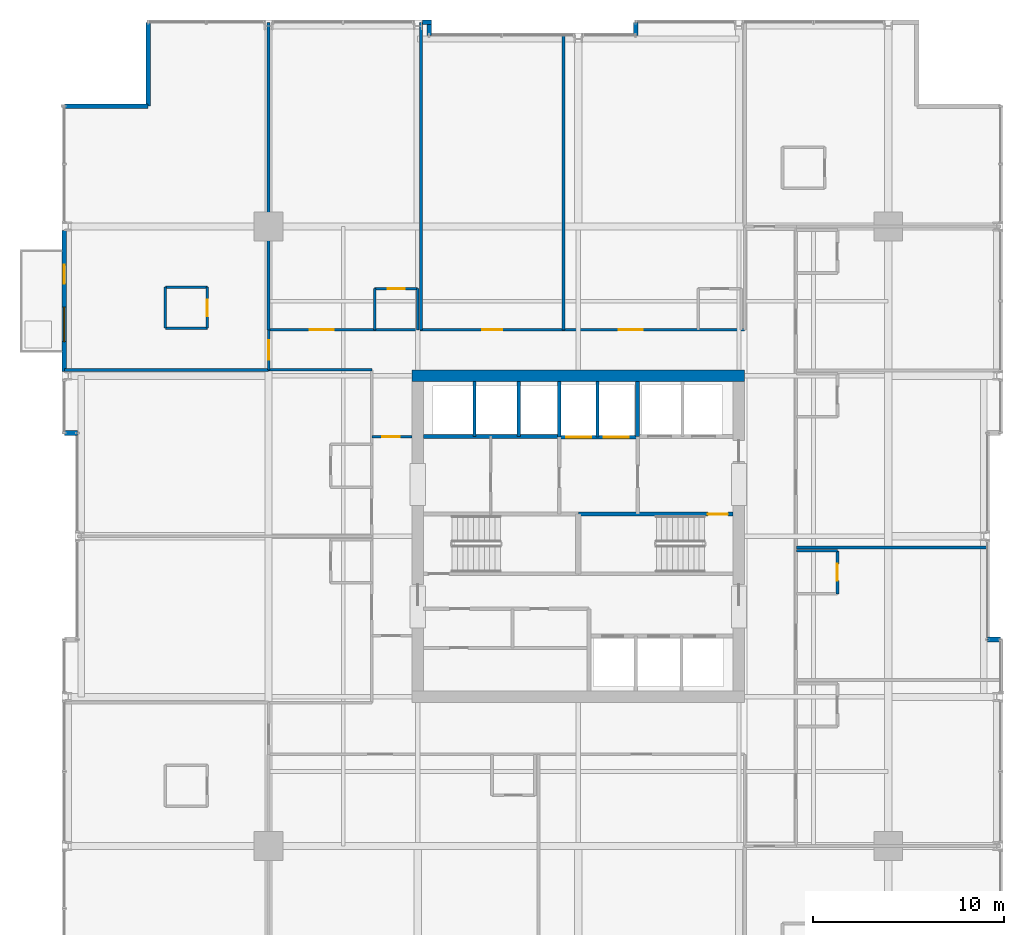
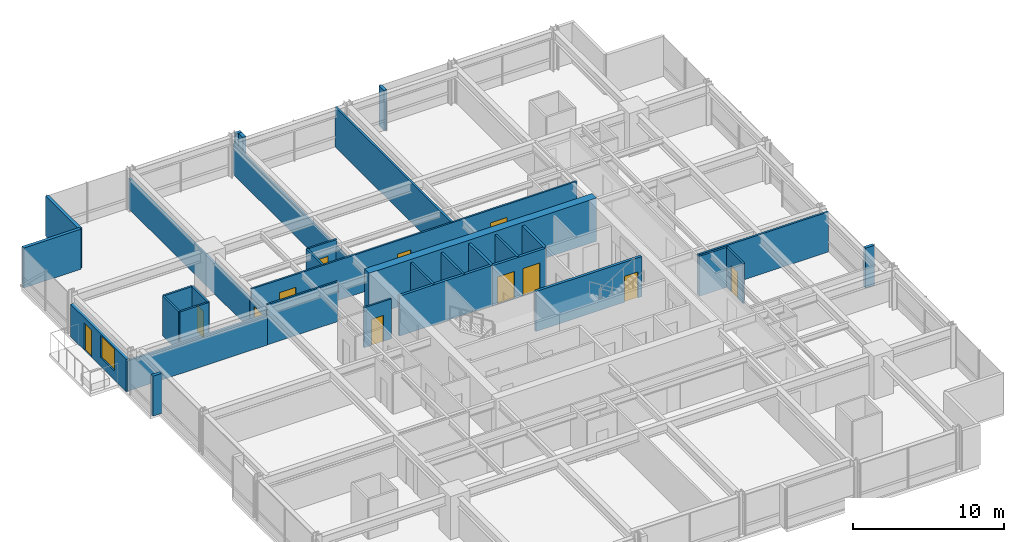
# One storey, part 30 of 33: 35 walls, 12 doors, 1 window, 13 openings.
"""IFC4 building model written with IfcOpenShell, lengths in metres."""

from ifc_helpers import new_model, si_unit, direction, frame, frame_2d, origin, place, context, subcontext, project, spatial, rectangle, extrude, material, layer, layer_set, type_object, element, fill, save


model = new_model("IFC4")

# Units and contexts
model_context = context("Model", 3, precision=1e-05, world=origin(), true_north=direction((0.0, 1.0)))
body_context = subcontext(model_context, "Body", "Model", "MODEL_VIEW")
ifc_project = project(units=[si_unit("LENGTHUNIT", "METRE"), si_unit("AREAUNIT", "SQUARE_METRE"), si_unit("VOLUMEUNIT", "CUBIC_METRE"), si_unit("PLANEANGLEUNIT", "RADIAN"), si_unit("MASSUNIT", "GRAM", prefix="KILO")], contexts=[model_context])

# Site, building, storey
site_placement = place(None, origin())
site = spatial("IfcSite", under=ifc_project, at=site_placement, CompositionType="ELEMENT")
building_placement = place(site_placement, origin())
building = spatial("IfcBuilding", under=site, at=building_placement, Name="Drelvath Grand Hotel", CompositionType="ELEMENT")
storey_placement = place(building_placement, frame((0.0, 0.0, 105.800048828125)))
storey = spatial("IfcBuildingStorey", under=building, at=storey_placement, Name="L26", CompositionType="ELEMENT", Elevation=105.800048828125)

# Wall
ifc_material_1 = material(Name="Concrete C40/50", Category="concrete")
ifc_layer_1 = layer(ifc_material_1, 0.199951171875)
ifc_layer_set_1 = layer_set([ifc_layer_1], Name="Concrete C40/50")
wall_type_1 = type_object("IfcWallType", Name="Core Hoistway Fire Wall 200", PredefinedType="SOLIDWALL", material=ifc_layer_set_1)
wall_1_placement = place(storey_placement, frame((3.10009765625, 32.219970703125, 0.0), z_axis=(0.0, 0.0, 1.0), x_axis=(0.0, 1.0, 0.0)))
element("IfcWall", 1, at=wall_1_placement, inside=storey, type_object=wall_type_1, Name="L26 FSAE Hoistway West Wall", PredefinedType="SOLIDWALL", context=body_context, shape_type="SweptSolid", body=[
    extrude(rectangle(XDim=2.880126953125, YDim=0.199951171875, at=frame_2d((1.43994140625, 0.0))), origin(), (0.0, 0.0, 1.0), 3.239990234375),
])

# Wall, openings, doors
wall_2_placement = place(storey_placement, frame((-1.0, 32.179931640625, 0.0), z_axis=(0.0, 0.0, 1.0), x_axis=(1.0, 0.0, 0.0)))
wall_2 = element("IfcWall", 2, at=wall_2_placement, inside=storey, type_object=wall_type_1, Name="L26 Service Lift Hoistway Wall", PredefinedType="SOLIDWALL", context=body_context, shape_type="SweptSolid", body=[
    extrude(rectangle(XDim=4.10009765625, YDim=0.199951171875, at=frame_2d((2.050048828125, 0.0))), origin(), (0.0, 0.0, 1.0), 3.239990234375),
])
opening_1_placement = place(wall_2_placement, frame((0.3701171875, 0.0, 0.0)))
opening_1 = element("IfcOpeningElement", 3, at=opening_1_placement, cuts=wall_2, Name="Opening LD-SV-2", PredefinedType="OPENING", context=body_context, shape_type="SweptSolid", body=[
    extrude(rectangle(XDim=1.300048828125, YDim=2.199951171875, at=frame_2d((0.64990234375, 1.10009765625))), frame((0.0, 0.10986328125, 0.0), z_axis=(0.0, -1.0, 0.0), x_axis=(1.0, 0.0, 0.0)), (0.0, 0.0, 1.0), 0.219970703125),
])
opening_2_placement = place(wall_2_placement, frame((2.330078125, 0.0, 0.0)))
opening_2 = element("IfcOpeningElement", 4, at=opening_2_placement, cuts=wall_2, Name="Opening LD-SV-1", PredefinedType="OPENING", context=body_context, shape_type="SweptSolid", body=[
    extrude(rectangle(XDim=1.300048828125, YDim=2.199951171875, at=frame_2d((0.64990234375, 1.10009765625))), frame((0.0, 0.10986328125, 0.0), z_axis=(0.0, -1.0, 0.0), x_axis=(1.0, 0.0, 0.0)), (0.0, 0.0, 1.0), 0.219970703125),
])
ifc_material_2 = material(Name="Stainless Steel S355", Category="steel")
door_type_1 = type_object("IfcDoorType", Name="Service Lift Sliding Landing Door 1300x2200", OperationType="NOTDEFINED", PredefinedType="DOOR", material=ifc_material_2)
door_1_placement = place(opening_1_placement, origin())
door_1 = element("IfcDoor", 5, at=door_1_placement, inside=storey, type_object=door_type_1, Name="L26 Lift SV-2 Landing Door", OperationType="SLIDING_TO_LEFT", OverallHeight=2.199951171875, OverallWidth=1.300048828125, PredefinedType="DOOR", context=body_context, shape_type="SweptSolid", body=[
    extrude(rectangle(XDim=1.300048828125, YDim=2.199951171875, at=frame_2d((0.64990234375, 1.10009765625))), frame((0.0, 0.02490234375, 0.0), z_axis=(0.0, -1.0, 0.0), x_axis=(1.0, 0.0, 0.0)), (0.0, 0.0, 1.0), 0.050048828125),
])
fill(opening_1, door_1)
door_2_placement = place(opening_2_placement, origin())
door_2 = element("IfcDoor", 6, at=door_2_placement, inside=storey, type_object=door_type_1, Name="L26 Lift SV-1 Landing Door", OperationType="SLIDING_TO_LEFT", OverallHeight=2.199951171875, OverallWidth=1.300048828125, PredefinedType="DOOR", context=body_context, shape_type="SweptSolid", body=[
    extrude(rectangle(XDim=1.300048828125, YDim=2.199951171875, at=frame_2d((0.64990234375, 1.10009765625))), frame((0.0, 0.02490234375, 0.0), z_axis=(0.0, -1.0, 0.0), x_axis=(1.0, 0.0, 0.0)), (0.0, 0.0, 1.0), 0.050048828125),
])
fill(opening_2, door_2)

# Walls
wall_3_placement = place(storey_placement, frame((-1.0, 32.179931640625, 0.0), z_axis=(0.0, 0.0, 1.0), x_axis=(0.0, 1.0, 0.0)))
element("IfcWall", 7, at=wall_3_placement, inside=storey, type_object=wall_type_1, Name="L26 Service Lift West Wall", PredefinedType="SOLIDWALL", context=body_context, shape_type="SweptSolid", body=[
    extrude(rectangle(XDim=2.920166015625, YDim=0.199951171875, at=frame_2d((1.4599609375, 0.0))), origin(), (0.0, 0.0, 1.0), 3.239990234375),
])
wall_4_placement = place(storey_placement, frame((-8.10009765625, 32.219970703125, 0.0), z_axis=(0.0, 0.0, 1.0), x_axis=(1.0, 0.0, 0.0)))
element("IfcWall", 8, at=wall_4_placement, inside=storey, type_object=wall_type_1, Name="L26 Bank 3 Hoistway Wall", PredefinedType="SOLIDWALL", context=body_context, shape_type="SweptSolid", body=[
    extrude(rectangle(XDim=7.10009765625, YDim=0.199951171875, at=frame_2d((3.550048828125, 0.0))), origin(), (0.0, 0.0, 1.0), 3.239990234375),
])

# Wall, opening, door
ifc_layer_2 = layer(ifc_material_1, 0.199951171875)
ifc_layer_set_2 = layer_set([ifc_layer_2], Name="Concrete C40/50")
wall_type_2 = type_object("IfcWallType", Name="Core Shaft Fire Wall 200", PredefinedType="SOLIDWALL", material=ifc_layer_set_2)
wall_5_placement = place(storey_placement, frame((8.10009765625, 28.159912109375, 0.0), z_axis=(0.0, 0.0, 1.0), x_axis=(-1.0, 0.0, 0.0)))
wall_5 = element("IfcWall", 9, at=wall_5_placement, inside=storey, type_object=wall_type_2, Name="L26 Stair ST-2 North Wall", PredefinedType="SOLIDWALL", context=body_context, shape_type="SweptSolid", body=[
    extrude(rectangle(XDim=8.10009765625, YDim=0.199951171875, at=frame_2d((4.050048828125, 0.0))), origin(), (0.0, 0.0, 1.0), 3.239990234375),
])
opening_3_placement = place(wall_5_placement, frame((0.280029296875, 0.0, 0.0)))
opening_3 = element("IfcOpeningElement", 10, at=opening_3_placement, cuts=wall_5, Name="Opening D-T2G2-002", PredefinedType="OPENING", context=body_context, shape_type="SweptSolid", body=[
    extrude(rectangle(XDim=1.050048828125, YDim=2.10009765625, at=frame_2d((0.52490234375, 1.050048828125))), frame((0.0, 0.10986328125, 0.0), z_axis=(0.0, -1.0, 0.0), x_axis=(1.0, 0.0, 0.0)), (0.0, 0.0, 1.0), 0.219970703125),
])
ifc_material_3 = material(Name="Painted Steel S275", Category="steel")
door_type_2 = type_object("IfcDoorType", Name="Tower Stairwell Fire Door 1050x2100", OperationType="NOTDEFINED", PredefinedType="DOOR", material=ifc_material_3)
door_3_placement = place(opening_3_placement, origin())
door_3 = element("IfcDoor", 11, at=door_3_placement, inside=storey, type_object=door_type_2, Name="L26 Exit Stair ST-2 Door", OperationType="SINGLE_SWING_LEFT", OverallHeight=2.10009765625, OverallWidth=1.050048828125, PredefinedType="DOOR", context=body_context, shape_type="SweptSolid", body=[
    extrude(rectangle(XDim=1.050048828125, YDim=2.10009765625, at=frame_2d((0.52490234375, 1.050048828125))), frame((0.0, 0.02490234375, 0.0), z_axis=(0.0, -1.0, 0.0), x_axis=(1.0, 0.0, 0.0)), (0.0, 0.0, 1.0), 0.050048828125),
])
fill(opening_3, door_3)

# Walls
ifc_material_4 = material(Name="Gypsum Fireboard Partition")
ifc_layer_3 = layer(ifc_material_4, 0.1650390625)
ifc_layer_set_3 = layer_set([ifc_layer_3], Name="Gypsum Fireboard Partition")
wall_type_3 = type_object("IfcWallType", Name="Core Shaft Partition 165", PredefinedType="PARTITIONING", material=ifc_layer_set_3)
wall_6_placement = place(storey_placement, frame((1.0, 32.179931640625, 0.0), z_axis=(0.0, 0.0, 1.0), x_axis=(0.0, 1.0, 0.0)))
element("IfcWall", 12, at=wall_6_placement, inside=storey, type_object=wall_type_3, Name="L26 Service Lift Divider", PredefinedType="PARTITIONING", context=body_context, shape_type="SweptSolid", body=[
    extrude(rectangle(XDim=2.920166015625, YDim=0.1650390625, at=frame_2d((1.4599609375, 0.0))), origin(), (0.0, 0.0, 1.0), 3.239990234375),
])
for number, where, z_axis, x_axis, name in (
    (13, (-5.43994140625, 32.219970703125, 0.0), (0.0, 0.0, 1.0), (0.0, 1.0, 0.0), "L26 Lift PE-7/8 Divider"),
    (14, (-3.1201171875, 32.219970703125, 0.0), (0.0, 0.0, 1.0), (0.0, 1.0, 0.0), "L26 Lift PE-8/9 Divider"),
):
    element("IfcWall", number, at=place(storey_placement, frame(where, z_axis=z_axis, x_axis=x_axis)), inside=storey, type_object=wall_type_3, Name=name, PredefinedType="PARTITIONING", context=body_context, shape_type="SweptSolid", body=[
        extrude(rectangle(XDim=2.880126953125, YDim=0.1650390625, at=frame_2d((1.43994140625, 0.0))), origin(), (0.0, 0.0, 1.0), 3.239990234375),
    ])

# Wall, opening, door
ifc_layer_4 = layer(ifc_material_4, 0.135009765625)
ifc_layer_set_4 = layer_set([ifc_layer_4], Name="Gypsum Fireboard Partition")
wall_type_4 = type_object("IfcWallType", Name="Corridor Fire Barrier Wall 135", PredefinedType="PARTITIONING", material=ifc_layer_set_4)
wall_7_placement = place(storey_placement, frame((-10.800048828125, 32.199951171875, 0.0), z_axis=(0.0, 0.0, 1.0), x_axis=(1.0, 0.0, 0.0)))
wall_7 = element("IfcWall", 15, at=wall_7_placement, inside=storey, type_object=wall_type_4, Name="L26 West Foyer North Wall", PredefinedType="PARTITIONING", context=body_context, shape_type="SweptSolid", body=[
    extrude(rectangle(XDim=2.10009765625, YDim=0.135009765625, at=frame_2d((1.050048828125, 0.0))), origin(), (0.0, 0.0, 1.0), 3.239990234375),
])
opening_4_placement = place(wall_7_placement, frame((0.550048828125, 0.0, 0.0)))
opening_4 = element("IfcOpeningElement", 16, at=opening_4_placement, cuts=wall_7, Name="Opening D-T2G2-020", PredefinedType="OPENING", context=body_context, shape_type="SweptSolid", body=[
    extrude(rectangle(XDim=0.919921875, YDim=2.10009765625, at=frame_2d((0.4599609375, 1.050048828125))), frame((0.0, 0.077392578125, 0.0), z_axis=(0.0, -1.0, 0.0), x_axis=(1.0, 0.0, 0.0)), (0.0, 0.0, 1.0), 0.155029296875),
])
door_type_3 = type_object("IfcDoorType", Name="Staff Utility Door 920x2100", OperationType="NOTDEFINED", PredefinedType="DOOR", material=ifc_material_3)
door_4_placement = place(opening_4_placement, origin())
door_4 = element("IfcDoor", 17, at=door_4_placement, inside=storey, type_object=door_type_3, Name="L26 West Pantry Door", OperationType="SINGLE_SWING_LEFT", OverallHeight=2.10009765625, OverallWidth=0.919921875, PredefinedType="DOOR", context=body_context, shape_type="SweptSolid", body=[
    extrude(rectangle(XDim=0.919921875, YDim=2.10009765625, at=frame_2d((0.4599609375, 1.050048828125))), frame((0.0, 0.02490234375, 0.0), z_axis=(0.0, -1.0, 0.0), x_axis=(1.0, 0.0, 0.0)), (0.0, 0.0, 1.0), 0.050048828125),
])
fill(opening_4, door_4)

# Wall
wall_8_placement = place(storey_placement, frame((-16.199951171875, 35.699951171875, 0.0), z_axis=(0.0, 0.0, 1.0), x_axis=(1.0, 0.0, 0.0)))
element("IfcWall", 18, at=wall_8_placement, inside=storey, type_object=wall_type_4, Name="L26 NW Stub South Wall", PredefinedType="PARTITIONING", context=body_context, shape_type="SweptSolid", body=[
    extrude(rectangle(XDim=5.39990234375, YDim=0.135009765625, at=frame_2d((2.699951171875, 0.0))), origin(), (0.0, 0.0, 1.0), 3.239990234375),
])

# Wall, openings, doors
wall_9_placement = place(storey_placement, frame((-16.199951171875, 37.800048828125, 0.0), z_axis=(0.0, 0.0, 1.0), x_axis=(1.0, 0.0, 0.0)))
wall_9 = element("IfcWall", 19, at=wall_9_placement, inside=storey, type_object=wall_type_4, Name="L26 North Stub Corridor Wall", PredefinedType="PARTITIONING", context=body_context, shape_type="SweptSolid", body=[
    extrude(rectangle(XDim=24.89990234375, YDim=0.135009765625, at=frame_2d((12.449951171875, 0.0))), origin(), (0.0, 0.0, 1.0), 3.239990234375),
])
opening_5_placement = place(wall_9_placement, frame((2.14501953125, 0.0, 0.0)))
opening_5 = element("IfcOpeningElement", 20, at=opening_5_placement, cuts=wall_9, Name="Opening D-T2G2-033", PredefinedType="OPENING", context=body_context, shape_type="SweptSolid", body=[
    extrude(rectangle(XDim=1.260009765625, YDim=2.199951171875, at=frame_2d((0.6298828125, 1.10009765625))), frame((0.0, 0.077392578125, 0.0), z_axis=(0.0, -1.0, 0.0), x_axis=(1.0, 0.0, 0.0)), (0.0, 0.0, 1.0), 0.155029296875),
])
opening_6_placement = place(wall_9_placement, frame((11.18701171875, 0.0, 0.0)))
opening_6 = element("IfcOpeningElement", 21, at=opening_6_placement, cuts=wall_9, Name="Opening D-T2G2-034", PredefinedType="OPENING", context=body_context, shape_type="SweptSolid", body=[
    extrude(rectangle(XDim=1.02001953125, YDim=2.14990234375, at=frame_2d((0.510009765625, 1.074951171875))), frame((0.0, 0.077392578125, 0.0), z_axis=(0.0, -1.0, 0.0), x_axis=(1.0, 0.0, 0.0)), (0.0, 0.0, 1.0), 0.155029296875),
])
opening_7_placement = place(wall_9_placement, frame((18.31201171875, 0.0, 0.0)))
opening_7 = element("IfcOpeningElement", 22, at=opening_7_placement, cuts=wall_9, Name="Opening D-T2G2-036", PredefinedType="OPENING", context=body_context, shape_type="SweptSolid", body=[
    extrude(rectangle(XDim=1.260009765625, YDim=2.199951171875, at=frame_2d((0.6298828125, 1.10009765625))), frame((0.0, 0.077392578125, 0.0), z_axis=(0.0, -1.0, 0.0), x_axis=(1.0, 0.0, 0.0)), (0.0, 0.0, 1.0), 0.155029296875),
])
ifc_material_5 = material(Name="Hardwood Walnut Timber", Category="wood")
door_type_4 = type_object("IfcDoorType", Name="Amenity Meeting Fire Door 1020x2150", OperationType="NOTDEFINED", PredefinedType="DOOR", material=ifc_material_5)
door_5_placement = place(opening_6_placement, origin())
door_5 = element("IfcDoor", 23, at=door_5_placement, inside=storey, type_object=door_type_4, Name="L26 Conference Room Entry Door", OperationType="SINGLE_SWING_LEFT", OverallHeight=2.14990234375, OverallWidth=1.02001953125, PredefinedType="DOOR", context=body_context, shape_type="SweptSolid", body=[
    extrude(rectangle(XDim=1.02001953125, YDim=2.14990234375, at=frame_2d((0.510009765625, 1.074951171875))), frame((0.0, 0.02490234375, 0.0), z_axis=(0.0, -1.0, 0.0), x_axis=(1.0, 0.0, 0.0)), (0.0, 0.0, 1.0), 0.050048828125),
])
fill(opening_6, door_5)
door_type_5 = type_object("IfcDoorType", Name="Suite Entrance Fire Door 1260x2200", OperationType="NOTDEFINED", PredefinedType="DOOR", material=ifc_material_5)
door_6_placement = place(opening_5_placement, origin())
door_6 = element("IfcDoor", 24, at=door_6_placement, inside=storey, type_object=door_type_5, Name="L26 Corner Suite Entry Door", OperationType="SINGLE_SWING_RIGHT", OverallHeight=2.199951171875, OverallWidth=1.260009765625, PredefinedType="DOOR", context=body_context, shape_type="SweptSolid", body=[
    extrude(rectangle(XDim=1.260009765625, YDim=2.199951171875, at=frame_2d((0.6298828125, 1.10009765625))), frame((0.0, 0.02490234375, 0.0), z_axis=(0.0, -1.0, 0.0), x_axis=(1.0, 0.0, 0.0)), (0.0, 0.0, 1.0), 0.050048828125),
])
fill(opening_5, door_6)
door_7_placement = place(opening_7_placement, origin())
door_7 = element("IfcDoor", 25, at=door_7_placement, inside=storey, type_object=door_type_5, Name="L26 Corner Suite Entry Door", OperationType="SINGLE_SWING_LEFT", OverallHeight=2.199951171875, OverallWidth=1.260009765625, PredefinedType="DOOR", context=body_context, shape_type="SweptSolid", body=[
    extrude(rectangle(XDim=1.260009765625, YDim=2.199951171875, at=frame_2d((0.6298828125, 1.10009765625))), frame((0.0, 0.02490234375, 0.0), z_axis=(0.0, -1.0, 0.0), x_axis=(1.0, 0.0, 0.0)), (0.0, 0.0, 1.0), 0.050048828125),
])
fill(opening_7, door_7)

# Wall, opening, door
wall_10_placement = place(storey_placement, frame((-16.199951171875, 35.699951171875, 0.0), z_axis=(0.0, 0.0, 1.0), x_axis=(0.0, 1.0, 0.0)))
wall_10 = element("IfcWall", 26, at=wall_10_placement, inside=storey, type_object=wall_type_4, Name="L26 North Stub West End", PredefinedType="PARTITIONING", context=body_context, shape_type="SweptSolid", body=[
    extrude(rectangle(XDim=2.10009765625, YDim=0.135009765625, at=frame_2d((1.050048828125, 0.0))), origin(), (0.0, 0.0, 1.0), 2.45166015625),
])
opening_8_placement = place(wall_10_placement, frame((0.52001953125, 0.0, 0.0)))
opening_8 = element("IfcOpeningElement", 27, at=opening_8_placement, cuts=wall_10, Name="Opening D-T2G2-024", PredefinedType="OPENING", context=body_context, shape_type="SweptSolid", body=[
    extrude(rectangle(XDim=1.02001953125, YDim=2.14990234375, at=frame_2d((0.510009765625, 1.074951171875))), frame((0.0, 0.077392578125, 0.0), z_axis=(0.0, -1.0, 0.0), x_axis=(1.0, 0.0, 0.0)), (0.0, 0.0, 1.0), 0.155029296875),
])
door_8_placement = place(opening_8_placement, origin())
door_8 = element("IfcDoor", 28, at=door_8_placement, inside=storey, type_object=door_type_4, Name="L26 Corner Suite Entry Door", OperationType="SINGLE_SWING_LEFT", OverallHeight=2.14990234375, OverallWidth=1.02001953125, PredefinedType="DOOR", context=body_context, shape_type="SweptSolid", body=[
    extrude(rectangle(XDim=1.02001953125, YDim=2.14990234375, at=frame_2d((0.510009765625, 1.074951171875))), frame((0.0, 0.02490234375, 0.0), z_axis=(0.0, -1.0, 0.0), x_axis=(1.0, 0.0, 0.0)), (0.0, 0.0, 1.0), 0.050048828125),
])
fill(opening_8, door_8)

# Walls
ifc_material_6 = material(Name="Moisture-Resistant Gypsum Board")
ifc_layer_5 = layer(ifc_material_6, 0.139892578125)
ifc_layer_set_5 = layer_set([ifc_layer_5], Name="Moisture-Resistant Gypsum Board")
wall_type_5 = type_object("IfcWallType", Name="En-Suite Plumbing Wall 140", PredefinedType="PLUMBINGWALL", material=ifc_layer_set_5)
for number, where, z_axis, x_axis, name in (
    (29, (-21.60009765625, 37.8798828125, 0.0), (0.0, 0.0, 1.0), (1.0, 0.0, 0.0), "L26 Corner En-Suite South"),
    (30, (-21.60009765625, 40.030029296875, 0.0), (0.0, 0.0, 1.0), (1.0, 0.0, 0.0), "L26 Corner En-Suite North"),
):
    element("IfcWall", number, at=place(storey_placement, frame(where, z_axis=z_axis, x_axis=x_axis)), inside=storey, type_object=wall_type_5, Name=name, PredefinedType="PLUMBINGWALL", context=body_context, shape_type="SweptSolid", body=[
        extrude(rectangle(XDim=2.2001953125, YDim=0.139892578125, at=frame_2d((1.10009765625, 0.0))), origin(), (0.0, 0.0, 1.0), 3.239990234375),
    ])
wall_11_placement = place(storey_placement, frame((-21.60009765625, 37.8798828125, 0.0), z_axis=(0.0, 0.0, 1.0), x_axis=(0.0, 1.0, 0.0)))
element("IfcWall", 31, at=wall_11_placement, inside=storey, type_object=wall_type_5, Name="L26 Corner En-Suite West", PredefinedType="PLUMBINGWALL", context=body_context, shape_type="SweptSolid", body=[
    extrude(rectangle(XDim=2.150146484375, YDim=0.139892578125, at=frame_2d((1.0751953125, 0.0))), origin(), (0.0, 0.0, 1.0), 3.239990234375),
])

# Wall, opening, door
wall_12_placement = place(storey_placement, frame((-19.39990234375, 37.8798828125, 0.0), z_axis=(0.0, 0.0, 1.0), x_axis=(0.0, 1.0, 0.0)))
wall_12 = element("IfcWall", 32, at=wall_12_placement, inside=storey, type_object=wall_type_5, Name="L26 Corner En-Suite East", PredefinedType="PLUMBINGWALL", context=body_context, shape_type="SweptSolid", body=[
    extrude(rectangle(XDim=2.150146484375, YDim=0.139892578125, at=frame_2d((1.0751953125, 0.0))), origin(), (0.0, 0.0, 1.0), 3.239990234375),
])
opening_9_placement = place(wall_12_placement, frame((0.6201171875, 0.0, 0.0)))
opening_9 = element("IfcOpeningElement", 33, at=opening_9_placement, cuts=wall_12, Name="Opening D-T2G2-023", PredefinedType="OPENING", context=body_context, shape_type="SweptSolid", body=[
    extrude(rectangle(XDim=0.8798828125, YDim=2.10009765625, at=frame_2d((0.43994140625, 1.050048828125))), frame((0.0, 0.079833984375, 0.0), z_axis=(0.0, -1.0, 0.0), x_axis=(1.0, 0.0, 0.0)), (0.0, 0.0, 1.0), 0.159912109375),
])
door_type_6 = type_object("IfcDoorType", Name="En-Suite Bathroom Door 880x2100", OperationType="NOTDEFINED", PredefinedType="DOOR", material=ifc_material_5)
door_9_placement = place(opening_9_placement, origin())
door_9 = element("IfcDoor", 34, at=door_9_placement, inside=storey, type_object=door_type_6, Name="L26 Corner En-Suite Door", OperationType="SINGLE_SWING_RIGHT", OverallHeight=2.10009765625, OverallWidth=0.8798828125, PredefinedType="DOOR", context=body_context, shape_type="SweptSolid", body=[
    extrude(rectangle(XDim=0.8798828125, YDim=2.10009765625, at=frame_2d((0.43994140625, 1.050048828125))), frame((0.0, 0.02490234375, 0.0), z_axis=(0.0, -1.0, 0.0), x_axis=(1.0, 0.0, 0.0)), (0.0, 0.0, 1.0), 0.050048828125),
])
fill(opening_9, door_9)

# Walls
wall_13_placement = place(storey_placement, frame((-10.64990234375, 37.800048828125, 0.0), z_axis=(0.0, 0.0, 1.0), x_axis=(0.0, 1.0, 0.0)))
element("IfcWall", 35, at=wall_13_placement, inside=storey, type_object=wall_type_5, Name="L26 En-Suite Left Wall", PredefinedType="PLUMBINGWALL", context=body_context, shape_type="SweptSolid", body=[
    extrude(rectangle(XDim=2.14990234375, YDim=0.139892578125, at=frame_2d((1.074951171875, 0.0))), origin(), (0.0, 0.0, 1.0), 3.239990234375),
])
wall_14_placement = place(storey_placement, frame((-8.39990234375, 37.800048828125, 0.0), z_axis=(0.0, 0.0, 1.0), x_axis=(0.0, 1.0, 0.0)))
element("IfcWall", 36, at=wall_14_placement, inside=storey, type_object=wall_type_5, Name="L26 En-Suite Right Wall", PredefinedType="PLUMBINGWALL", context=body_context, shape_type="SweptSolid", body=[
    extrude(rectangle(XDim=2.14990234375, YDim=0.139892578125, at=frame_2d((1.074951171875, 0.0))), origin(), (0.0, 0.0, 1.0), 2.617431640625),
])

# Wall, opening, door
wall_15_placement = place(storey_placement, frame((-10.64990234375, 39.949951171875, 0.0), z_axis=(0.0, 0.0, 1.0), x_axis=(1.0, 0.0, 0.0)))
wall_15 = element("IfcWall", 37, at=wall_15_placement, inside=storey, type_object=wall_type_5, Name="L26 En-Suite Front Wall", PredefinedType="PLUMBINGWALL", context=body_context, shape_type="SweptSolid", body=[
    extrude(rectangle(XDim=2.25, YDim=0.139892578125, at=frame_2d((1.125, 0.0))), origin(), (0.0, 0.0, 1.0), 3.239990234375),
])
opening_10_placement = place(wall_15_placement, frame((0.68505859375, 0.0, 0.0)))
opening_10 = element("IfcOpeningElement", 38, at=opening_10_placement, cuts=wall_15, Name="Opening D-T2G2-032", PredefinedType="OPENING", context=body_context, shape_type="SweptSolid", body=[
    extrude(rectangle(XDim=0.8798828125, YDim=2.10009765625, at=frame_2d((0.43994140625, 1.050048828125))), frame((0.0, 0.079833984375, 0.0), z_axis=(0.0, -1.0, 0.0), x_axis=(1.0, 0.0, 0.0)), (0.0, 0.0, 1.0), 0.159912109375),
])
door_10_placement = place(opening_10_placement, origin())
door_10 = element("IfcDoor", 39, at=door_10_placement, inside=storey, type_object=door_type_6, Name="L26 En-Suite Bathroom Door", OperationType="SINGLE_SWING_LEFT", OverallHeight=2.10009765625, OverallWidth=0.8798828125, PredefinedType="DOOR", context=body_context, shape_type="SweptSolid", body=[
    extrude(rectangle(XDim=0.8798828125, YDim=2.10009765625, at=frame_2d((0.43994140625, 1.050048828125))), frame((0.0, 0.02490234375, 0.0), z_axis=(0.0, -1.0, 0.0), x_axis=(1.0, 0.0, 0.0)), (0.0, 0.0, 1.0), 0.050048828125),
])
fill(opening_10, door_10)

# Wall
wall_16_placement = place(storey_placement, frame((11.39990234375, 26.241455078125, 0.0), z_axis=(0.0, 0.0, 1.0), x_axis=(1.0, 0.0, 0.0)))
element("IfcWall", 40, at=wall_16_placement, inside=storey, type_object=wall_type_5, Name="L26 En-Suite Right Wall", PredefinedType="PLUMBINGWALL", context=body_context, shape_type="SweptSolid", body=[
    extrude(rectangle(XDim=2.150146484375, YDim=0.139892578125, at=frame_2d((1.0751953125, 0.0))), origin(), (0.0, 0.0, 1.0), 3.239990234375),
])

# Wall, opening, door
wall_17_placement = place(storey_placement, frame((13.550048828125, 23.991455078125, 0.0), z_axis=(0.0, 0.0, 1.0), x_axis=(0.0, 1.0, 0.0)))
wall_17 = element("IfcWall", 41, at=wall_17_placement, inside=storey, type_object=wall_type_5, Name="L26 En-Suite Front Wall", PredefinedType="PLUMBINGWALL", context=body_context, shape_type="SweptSolid", body=[
    extrude(rectangle(XDim=2.25, YDim=0.139892578125, at=frame_2d((1.125, 0.0))), origin(), (0.0, 0.0, 1.0), 3.239990234375),
])
opening_11_placement = place(wall_17_placement, frame((0.68505859375, 0.0, 0.0)))
opening_11 = element("IfcOpeningElement", 42, at=opening_11_placement, cuts=wall_17, Name="Opening D-T2G2-039", PredefinedType="OPENING", context=body_context, shape_type="SweptSolid", body=[
    extrude(rectangle(XDim=0.8798828125, YDim=2.10009765625, at=frame_2d((0.43994140625, 1.050048828125))), frame((0.0, 0.079833984375, 0.0), z_axis=(0.0, -1.0, 0.0), x_axis=(1.0, 0.0, 0.0)), (0.0, 0.0, 1.0), 0.159912109375),
])
door_11_placement = place(opening_11_placement, origin())
door_11 = element("IfcDoor", 43, at=door_11_placement, inside=storey, type_object=door_type_6, Name="L26 En-Suite Bathroom Door", OperationType="SINGLE_SWING_RIGHT", OverallHeight=2.10009765625, OverallWidth=0.8798828125, PredefinedType="DOOR", context=body_context, shape_type="SweptSolid", body=[
    extrude(rectangle(XDim=0.8798828125, YDim=2.10009765625, at=frame_2d((0.43994140625, 1.050048828125))), frame((0.0, 0.02490234375, 0.0), z_axis=(0.0, -1.0, 0.0), x_axis=(1.0, 0.0, 0.0)), (0.0, 0.0, 1.0), 0.050048828125),
])
fill(opening_11, door_11)

# Walls
ifc_material_7 = material(Name="Gypsum Acoustic Partition")
ifc_layer_6 = layer(ifc_material_7, 0.14990234375)
ifc_layer_set_6 = layer_set([ifc_layer_6], Name="Gypsum Acoustic Partition")
wall_type_6 = type_object("IfcWallType", Name="Guestroom Demising Wall 150", PredefinedType="PARTITIONING", material=ifc_layer_set_6)
wall_18_placement = place(storey_placement, frame((-8.219970703125, 37.800048828125, 0.0), z_axis=(0.0, 0.0, 1.0), x_axis=(0.0, 1.0, 0.0)))
element("IfcWall", 44, at=wall_18_placement, inside=storey, type_object=wall_type_6, Name="L26 North Demising 1", PredefinedType="PARTITIONING", context=body_context, shape_type="SweptSolid", body=[
    extrude(rectangle(XDim=16.079833984375, YDim=0.14990234375, at=frame_2d((8.0400390625, 0.0))), origin(), (0.0, 0.0, 1.0), 2.45166015625),
])
wall_19_placement = place(storey_placement, frame((-0.78564453125, 37.800048828125, 0.0), z_axis=(0.0, 0.0, 1.0), x_axis=(0.0, 1.0, 0.0)))
element("IfcWall", 45, at=wall_19_placement, inside=storey, type_object=wall_type_6, Name="L26 North Demising 2", PredefinedType="PARTITIONING", context=body_context, shape_type="SweptSolid", body=[
    extrude(rectangle(XDim=15.39990234375, YDim=0.14990234375, at=frame_2d((7.699951171875, 0.0))), origin(), (0.0, 0.0, 1.0), 3.239990234375),
])
wall_20_placement = place(storey_placement, frame((11.39990234375, 26.42138671875, 0.0), z_axis=(0.0, 0.0, 1.0), x_axis=(1.0, 0.0, 0.0)))
element("IfcWall", 46, at=wall_20_placement, inside=storey, type_object=wall_type_6, Name="L26 East Demising 2", PredefinedType="PARTITIONING", context=body_context, shape_type="SweptSolid", body=[
    extrude(rectangle(XDim=10.0, YDim=0.14990234375, at=frame_2d((5.0, 0.0))), origin(), (0.0, 0.0, 1.0), 3.239990234375),
])
ifc_material_8 = material(Name="Concrete f'c 70 MPa", Category="concrete")
ifc_layer_7 = layer(ifc_material_8, 0.60009765625)
ifc_layer_set_7 = layer_set([ifc_layer_7], Name="Concrete f'c 70 MPa")
wall_type_7 = type_object("IfcWallType", Name="Lower Core RC Shear Wall 600", PredefinedType="SHEAR", material=ifc_layer_set_7)
wall_21_placement = place(storey_placement, frame((-8.699951171875, 35.39990234375, 0.0), z_axis=(0.0, 0.0, 1.0), x_axis=(1.0, 0.0, 0.0)))
element("IfcWall", 47, at=wall_21_placement, inside=storey, type_object=wall_type_7, Name="L26 Central Core Shear Wall N", PredefinedType="SHEAR", context=body_context, shape_type="SweptSolid", body=[
    extrude(rectangle(XDim=17.39990234375, YDim=0.60009765625, at=frame_2d((8.699951171875, 0.0))), origin(), (0.0, 0.0, 1.0), 3.5),
])
ifc_layer_8 = layer(ifc_material_7, 0.1650390625)
ifc_layer_set_8 = layer_set([ifc_layer_8], Name="Gypsum Acoustic Partition")
wall_type_8 = type_object("IfcWallType", Name="Suite Demising Wall 165", PredefinedType="PARTITIONING", material=ifc_layer_set_8)
wall_22_placement = place(storey_placement, frame((-16.199951171875, 37.800048828125, 0.0), z_axis=(0.0, 0.0, 1.0), x_axis=(0.0, 1.0, 0.0)))
element("IfcWall", 48, at=wall_22_placement, inside=storey, type_object=wall_type_8, Name="L26 NW Suite East Wall", PredefinedType="PARTITIONING", context=body_context, shape_type="SweptSolid", body=[
    extrude(rectangle(XDim=16.079833984375, YDim=0.1650390625, at=frame_2d((8.0400390625, 0.0))), origin(), (0.0, 0.0, 1.0), 2.45166015625),
])
wall_23_placement = place(storey_placement, frame((-26.8798828125, 35.699951171875, 0.0), z_axis=(0.0, 0.0, 1.0), x_axis=(1.0, 0.0, 0.0)))
element("IfcWall", 49, at=wall_23_placement, inside=storey, type_object=wall_type_8, Name="L26 NW Suite South Wall", PredefinedType="PARTITIONING", context=body_context, shape_type="SweptSolid", body=[
    extrude(rectangle(XDim=10.679931640625, YDim=0.1650390625, at=frame_2d((5.33984375, 0.0))), origin(), (0.0, 0.0, 1.0), 2.45166015625),
])

# Wall, openings, window, door
ifc_material_9 = material(Name="Pale-Metal Insulated Aluminium Spandrel Assembly", Category="aluminium")
ifc_layer_9 = layer(ifc_material_9, 0.239990234375)
ifc_layer_set_9 = layer_set([ifc_layer_9], Name="Pale-Metal Insulated Aluminium Spandrel Assembly")
wall_type_9 = type_object("IfcWallType", Name="Tower Insulated Metal Spandrel Closure Wall 240", PredefinedType="STANDARD", material=ifc_layer_set_9)
wall_24_placement = place(storey_placement, frame((-26.8798828125, 35.61962890625, 0.0), z_axis=(0.0, 0.0, 1.0), x_axis=(0.0, 1.0, 0.0)))
wall_24 = element("IfcWall", 50, at=wall_24_placement, inside=storey, type_object=wall_type_9, Name="L26 Exterior Terrace Door Bay Wall WN2", PredefinedType="STANDARD", context=body_context, shape_type="SweptSolid", body=[
    extrude(rectangle(XDim=7.36083984375, YDim=0.239990234375, at=frame_2d((3.680419921875, 0.0))), origin(), (0.0, 0.0, 1.0), 2.62890625),
])
opening_12_placement = place(wall_24_placement, frame((4.580322265625, 0.0, 0.0)))
opening_12 = element("IfcOpeningElement", 51, at=opening_12_placement, cuts=wall_24, Name="Opening TD-1000", PredefinedType="OPENING", context=body_context, shape_type="SweptSolid", body=[
    extrude(rectangle(XDim=1.0, YDim=2.199951171875, at=frame_2d((0.5, 1.10009765625))), frame((0.0, 0.1298828125, 0.0), z_axis=(0.0, -1.0, 0.0), x_axis=(1.0, 0.0, 0.0)), (0.0, 0.0, 1.0), 0.260009765625),
])
opening_13_placement = place(wall_24_placement, frame((1.564208984375, 0.0, 0.75)))
opening_13 = element("IfcOpeningElement", 52, at=opening_13_placement, cuts=wall_24, Name="Opening W-02", PredefinedType="OPENING", context=body_context, shape_type="SweptSolid", body=[
    extrude(rectangle(XDim=1.800048828125, YDim=1.779052734375, at=frame_2d((0.89990234375, 0.8896484375))), frame((0.0, 0.1298828125, 0.0), z_axis=(0.0, -1.0, 0.0), x_axis=(1.0, 0.0, 0.0)), (0.0, 0.0, 1.0), 0.260009765625),
])
ifc_material_10 = material(Name="Bronze Anodised Low-E Triple Glazing", Category="glass")
window_type = type_object("IfcWindowType", Name="Chicago Double-Pane Podium Window 1800x2400", PartitioningType="DOUBLE_PANEL_VERTICAL", PredefinedType="WINDOW", material=ifc_material_10)
window_placement = place(opening_13_placement, origin())
window = element("IfcWindow", 53, at=window_placement, inside=storey, type_object=window_type, Name="L26 Terrace Bay Companion Window WN2", OverallHeight=1.779052734375, OverallWidth=1.800048828125, PartitioningType="SINGLE_PANEL", PredefinedType="WINDOW", context=body_context, shape_type="SweptSolid", body=[
    extrude(rectangle(XDim=1.800048828125, YDim=1.779052734375, at=frame_2d((0.89990234375, 0.8896484375))), frame((0.0, 0.030029296875, 0.0), z_axis=(0.0, -1.0, 0.0), x_axis=(1.0, 0.0, 0.0)), (0.0, 0.0, 1.0), 0.06005859375),
])
fill(opening_13, window)
ifc_material_11 = material(Name="Anodised Aluminium Thermally Broken Glazed Door", Category="aluminium")
door_type_7 = type_object("IfcDoorType", Name="Terrace and Tree Balcony Glazed Door 1000x2200", OperationType="NOTDEFINED", PredefinedType="DOOR", material=ifc_material_11)
door_12_placement = place(opening_12_placement, origin())
door_12 = element("IfcDoor", 54, at=door_12_placement, inside=storey, type_object=door_type_7, Name="L26 Tree Balcony Door DOOR-L26-TBAL-1", OperationType="SINGLE_SWING_RIGHT", OverallHeight=2.199951171875, OverallWidth=1.0, PredefinedType="DOOR", context=body_context, shape_type="SweptSolid", body=[
    extrude(rectangle(XDim=1.0, YDim=2.199951171875, at=frame_2d((0.5, 1.10009765625))), frame((0.0, 0.02490234375, 0.0), z_axis=(0.0, -1.0, 0.0), x_axis=(1.0, 0.0, 0.0)), (0.0, 0.0, 1.0), 0.050048828125),
])
fill(opening_12, door_12)

# Walls
wall_25_placement = place(storey_placement, frame((-8.14501953125, 53.8798828125, 0.0), z_axis=(0.0, 0.0, 1.0), x_axis=(1.0, 0.0, 0.0)))
element("IfcWall", 55, at=wall_25_placement, inside=storey, type_object=wall_type_9, Name="L26 Corner Pier Spandrel Wall NW3", PredefinedType="STANDARD", context=body_context, shape_type="SweptSolid", body=[
    extrude(rectangle(XDim=0.465087890625, YDim=0.239990234375, at=frame_2d((0.232421875, 0.0))), origin(), (0.0, 0.0, 1.0), 3.239990234375),
])
for number, where, z_axis, x_axis, name in (
    (56, (-26.8798828125, 49.5, 0.0), (0.0, 0.0, 1.0), (1.0, 0.0, 0.0), "L26 Notched Corner Return Spandrel Wall CNW1"),
    (57, (-22.5, 49.5, 0.0), (0.0, 0.0, 1.0), (0.0, 1.0, 0.0), "L26 Notched Corner Return Spandrel Wall CNW2"),
):
    element("IfcWall", number, at=place(storey_placement, frame(where, z_axis=z_axis, x_axis=x_axis)), inside=storey, type_object=wall_type_9, Name=name, PredefinedType="STANDARD", context=body_context, shape_type="SweptSolid", body=[
        extrude(rectangle(XDim=4.3798828125, YDim=0.239990234375, at=frame_2d((2.18994140625, 0.0))), origin(), (0.0, 0.0, 1.0), 3.239990234375),
    ])
wall_26_placement = place(storey_placement, frame((-26.199951171875, 32.39990234375, 0.0), z_axis=(0.0, 0.0, 1.0), x_axis=(-1.0, 0.0, 0.0)))
element("IfcWall", 58, at=wall_26_placement, inside=storey, type_object=wall_type_9, Name="L26 Notched Corner Return Spandrel Wall RW2", PredefinedType="STANDARD", context=body_context, shape_type="SweptSolid", body=[
    extrude(rectangle(XDim=0.679931640625, YDim=0.239990234375, at=frame_2d((0.33984375, 0.0))), origin(), (0.0, 0.0, 1.0), 3.239990234375),
])
wall_27_placement = place(storey_placement, frame((21.39990234375, 21.60009765625, 0.0), z_axis=(0.0, 0.0, 1.0), x_axis=(1.0, 0.0, 0.0)))
element("IfcWall", 59, at=wall_27_placement, inside=storey, type_object=wall_type_9, Name="L26 Notched Corner Return Spandrel Wall RE2", PredefinedType="STANDARD", context=body_context, shape_type="SweptSolid", body=[
    extrude(rectangle(XDim=0.68017578125, YDim=0.239990234375, at=frame_2d((0.340087890625, 0.0))), origin(), (0.0, 0.0, 1.0), 3.239990234375),
])
wall_28_placement = place(storey_placement, frame((-7.800048828125, 53.760009765625, 0.0), z_axis=(0.0, 0.0, 1.0), x_axis=(0.0, -1.0, 0.0)))
element("IfcWall", 60, at=wall_28_placement, inside=storey, type_object=wall_type_9, Name="L26 Notched Corner Return Spandrel Wall RN1", PredefinedType="STANDARD", context=body_context, shape_type="SweptSolid", body=[
    extrude(rectangle(XDim=0.56005859375, YDim=0.239990234375, at=frame_2d((0.280029296875, 0.0))), origin(), (0.0, 0.0, 1.0), 3.239990234375),
])
wall_29_placement = place(storey_placement, frame((3.0, 53.199951171875, 0.0), z_axis=(0.0, 0.0, 1.0), x_axis=(0.0, 1.0, 0.0)))
element("IfcWall", 61, at=wall_29_placement, inside=storey, type_object=wall_type_9, Name="L26 Notched Corner Return Spandrel Wall RN2", PredefinedType="STANDARD", context=body_context, shape_type="SweptSolid", body=[
    extrude(rectangle(XDim=0.679931640625, YDim=0.239990234375, at=frame_2d((0.33984375, 0.0))), origin(), (0.0, 0.0, 1.0), 3.239990234375),
])

save(model, "model.ifc")
